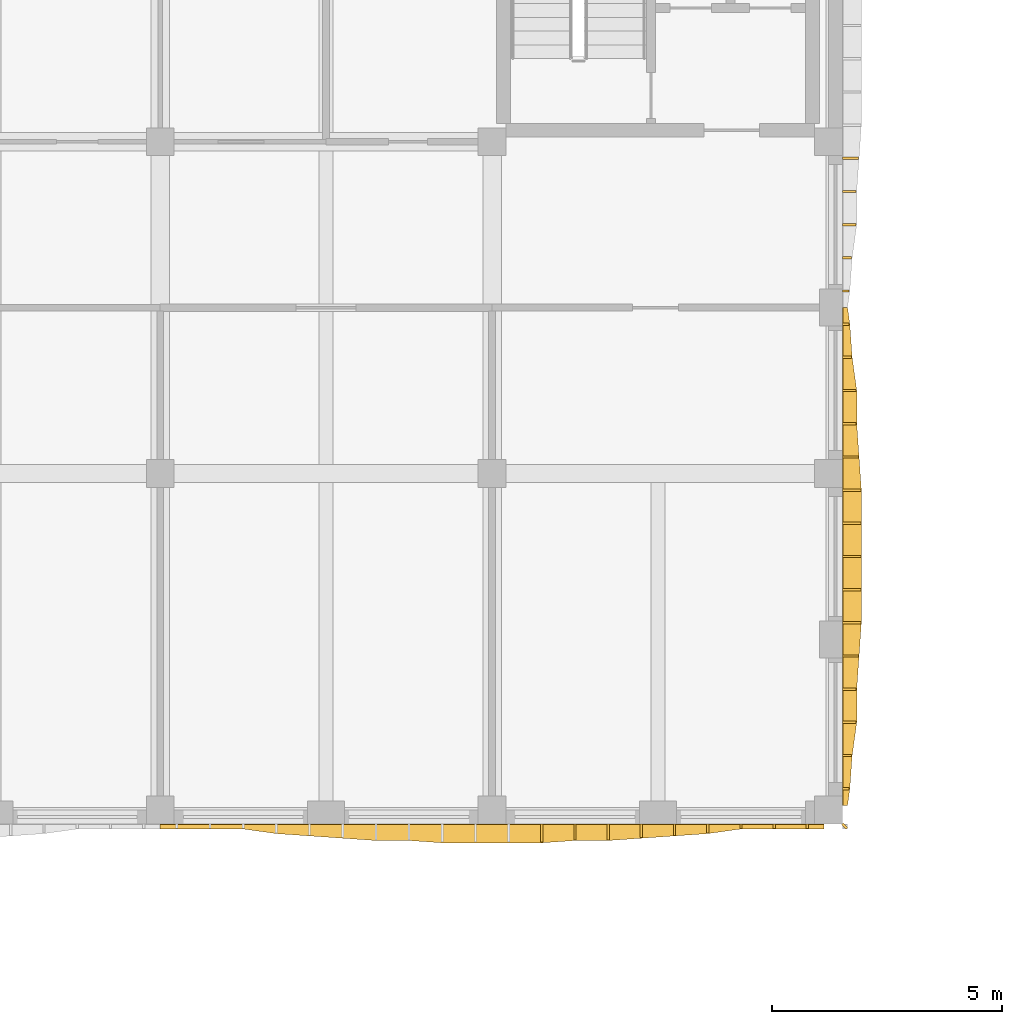
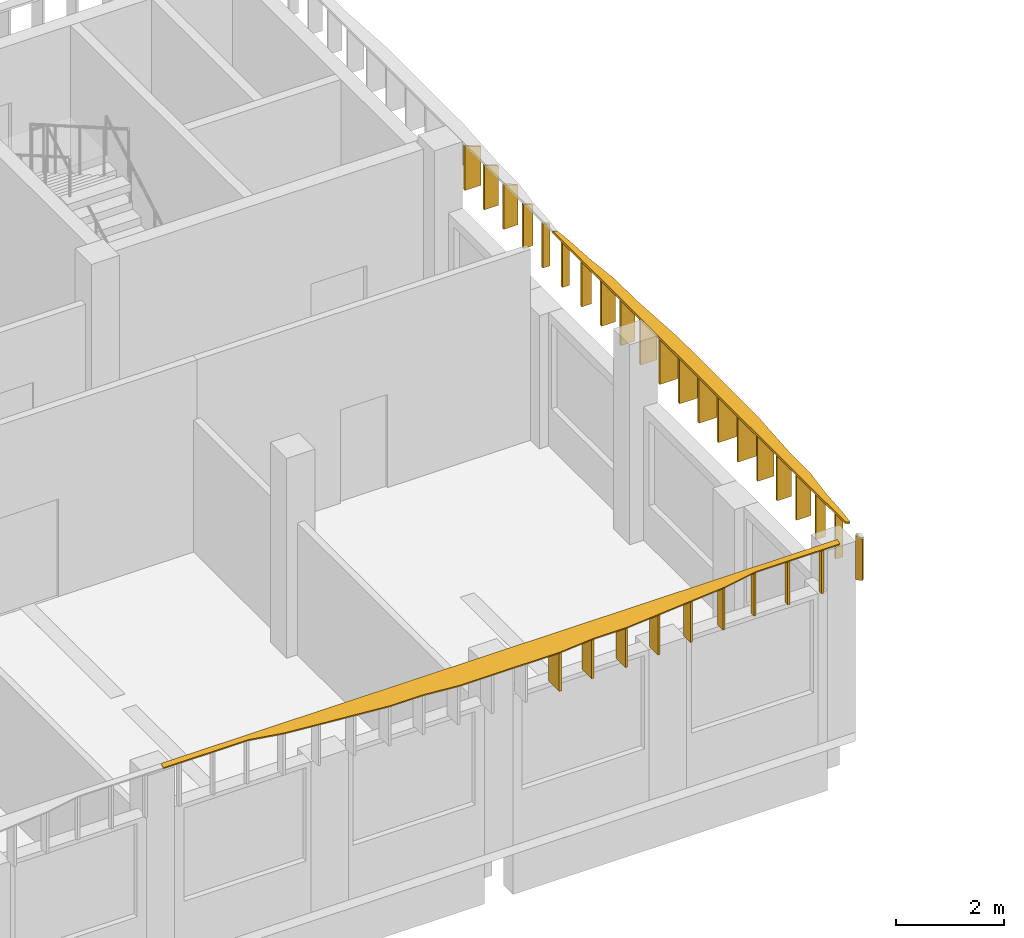
# One storey, part 33 of 38: 32 shading devices.
"""IFC4 building model written with IfcOpenShell, lengths in metres."""

from ifc_helpers import new_model, si_unit, direction, frame, origin, place, context, subcontext, project, spatial, polyline, outline, extrude, material, layer, layer_set, type_object, element, save


model = new_model("IFC4")

# Units and contexts
model_context = context("Model", 3, precision=1e-05, world=origin(), true_north=direction((0.0, 1.0)))
body_context = subcontext(model_context, "Body", "Model", "MODEL_VIEW")
ifc_project = project(units=[si_unit("LENGTHUNIT", "METRE"), si_unit("AREAUNIT", "SQUARE_METRE"), si_unit("VOLUMEUNIT", "CUBIC_METRE"), si_unit("PLANEANGLEUNIT", "RADIAN"), si_unit("MASSUNIT", "GRAM", prefix="KILO")], contexts=[model_context])

# Site, building, storey
site_placement = place(None, origin())
site = spatial("IfcSite", under=ifc_project, at=site_placement, CompositionType="ELEMENT")
building_placement = place(site_placement, origin())
building = spatial("IfcBuilding", under=site, at=building_placement, Name="Ussher Court Research Institute", CompositionType="ELEMENT")
storey_placement = place(building_placement, frame((0.0, 0.0, 23.39990234375)))
storey = spatial("IfcBuildingStorey", under=building, at=storey_placement, Name="L05", CompositionType="ELEMENT", Elevation=23.39990234375)

# Shading devices
ifc_material_1 = material(Name="Bronze anodised aluminium", Category="aluminium")
ifc_layer_1 = layer(ifc_material_1, 0.050048828125)
ifc_layer_set_1 = layer_set([ifc_layer_1], Name="Bronze anodised aluminium")
shading_device_type_1 = type_object("IfcShadingDeviceType", Name="Brim blade 100 mm deep 1000 mm high canted 20 deg dry", PredefinedType="USERDEFINED", material=ifc_layer_set_1)
for number, where, z_axis, x_axis, name in (
    (1, (81.840087890625, 68.39990234375, 3.4501953125), (0.0, 0.0, 1.0), (0.0, -1.0, 0.0), "Brim blade BS17 L05"),
    (2, (81.1201171875, 68.39990234375, 3.4501953125), (0.0, 0.0, 1.0), (0.0, -1.0, 0.0), "Brim blade BS17 L05"),
    (3, (80.39990234375, 68.39990234375, 3.4501953125), (0.0, 0.0, 1.0), (0.0, -1.0, 0.0), "Brim blade BS17 L05"),
):
    element("IfcShadingDevice", number, at=place(storey_placement, frame(where, z_axis=z_axis, x_axis=x_axis)), inside=storey, type_object=shading_device_type_1, Name=name, ObjectType="BLADE", PredefinedType="USERDEFINED", context=body_context, shape_type="SweptSolid", body=[
        extrude(outline(polyline([(0.0, 0.0), (0.099853515625, 0.0), (0.10009765625, 0.963623046875), (0.0, 1.0), (0.0, 0.0)])), frame((0.0, 0.02490234375, 0.0), z_axis=(0.0, -1.0, 0.0), x_axis=(1.0, 0.0, 0.0)), (0.0, 0.0, 1.0), 0.050048828125),
    ])
ifc_material_2 = material(Name="Bronze anodised aluminium", Category="aluminium")
ifc_layer_2 = layer(ifc_material_2, 0.050048828125)
ifc_layer_set_2 = layer_set([ifc_layer_2], Name="Bronze anodised aluminium")
shading_device_type_2 = type_object("IfcShadingDeviceType", Name="Brim blade 150 mm deep 1000 mm high canted 20 deg dry", PredefinedType="USERDEFINED", material=ifc_layer_set_2)
for number, where, z_axis, x_axis, name in (
    (4, (82.60009765625, 79.9599609375, 3.4501953125), (0.0, 0.0, 1.0), (1.0, 0.0, 0.0), "Brim blade BS16 L05"),
    (5, (82.60009765625, 79.239990234375, 3.4501953125), (0.0, 0.0, 1.0), (1.0, 0.0, 0.0), "Brim blade BS16 L05"),
    (6, (82.60009765625, 69.159912109375, 3.4501953125), (0.0, 0.0, 1.0), (1.0, 0.0, 0.0), "Brim blade BS16 L05"),
):
    element("IfcShadingDevice", number, at=place(storey_placement, frame(where, z_axis=z_axis, x_axis=x_axis)), inside=storey, type_object=shading_device_type_2, Name=name, ObjectType="BLADE", PredefinedType="USERDEFINED", context=body_context, shape_type="SweptSolid", body=[
        extrude(outline(polyline([(0.0, 0.0), (0.14990234375, 0.0), (0.14990234375, 0.9453125), (0.0, 1.0), (0.0, 0.0)])), frame((0.0, 0.02490234375, 0.0), z_axis=(0.0, -1.0, 0.0), x_axis=(1.0, 0.0, 0.0)), (0.0, 0.0, 1.0), 0.050048828125),
    ])
ifc_material_3 = material(Name="Bronze anodised aluminium", Category="aluminium")
ifc_layer_3 = layer(ifc_material_3, 0.050048828125)
ifc_layer_set_3 = layer_set([ifc_layer_3], Name="Bronze anodised aluminium")
shading_device_type_3 = type_object("IfcShadingDeviceType", Name="Brim blade 200 mm deep 1000 mm high canted 20 deg dry", PredefinedType="USERDEFINED", material=ifc_layer_set_3)
for number, where, z_axis, x_axis, name in (
    (7, (82.60009765625, 80.679931640625, 3.4501953125), (0.0, 0.0, 1.0), (1.0, 0.0, 0.0), "Brim blade BS15 L05"),
    (8, (82.60009765625, 78.52001953125, 3.4501953125), (0.0, 0.0, 1.0), (1.0, 0.0, 0.0), "Brim blade BS15 L05"),
    (9, (82.60009765625, 69.8798828125, 3.4501953125), (0.0, 0.0, 1.0), (1.0, 0.0, 0.0), "Brim blade BS15 L05"),
    (10, (79.679931640625, 68.39990234375, 3.4501953125), (0.0, 0.0, 1.0), (0.0, -1.0, 0.0), "Brim blade BS15 L05"),
):
    element("IfcShadingDevice", number, at=place(storey_placement, frame(where, z_axis=z_axis, x_axis=x_axis)), inside=storey, type_object=shading_device_type_3, Name=name, ObjectType="BLADE", PredefinedType="USERDEFINED", context=body_context, shape_type="SweptSolid", body=[
        extrude(outline(polyline([(0.0, 0.0), (0.199951171875, 0.0), (0.199951171875, 0.927001953125), (0.0, 1.0), (0.0, 0.0)])), frame((0.0, 0.02490234375, 0.0), z_axis=(0.0, -1.0, 0.0), x_axis=(1.0, 0.0, 0.0)), (0.0, 0.0, 1.0), 0.050048828125),
    ])
ifc_material_4 = material(Name="Bronze anodised aluminium", Category="aluminium")
ifc_layer_4 = layer(ifc_material_4, 0.050048828125)
ifc_layer_set_4 = layer_set([ifc_layer_4], Name="Bronze anodised aluminium")
shading_device_type_4 = type_object("IfcShadingDeviceType", Name="Brim blade 250 mm deep 1000 mm high canted 20 deg dry", PredefinedType="USERDEFINED", material=ifc_layer_set_4)
shading_device_1_placement = place(storey_placement, frame((78.9599609375, 68.39990234375, 3.4501953125), z_axis=(0.0, 0.0, 1.0), x_axis=(0.0, -1.0, 0.0)))
element("IfcShadingDevice", 11, at=shading_device_1_placement, inside=storey, type_object=shading_device_type_4, Name="Brim blade BS14 L05", ObjectType="BLADE", PredefinedType="USERDEFINED", context=body_context, shape_type="SweptSolid", body=[
    extrude(outline(polyline([(0.0, 0.0), (0.25, 0.0), (0.25, 0.908935546875), (0.0, 1.0), (0.0, 0.0)])), frame((0.0, 0.02490234375, 0.0), z_axis=(0.0, -1.0, 0.0), x_axis=(1.0, 0.0, 0.0)), (0.0, 0.0, 1.0), 0.050048828125),
])
ifc_material_5 = material(Name="Bronze anodised aluminium", Category="aluminium")
ifc_layer_5 = layer(ifc_material_5, 0.050048828125)
ifc_layer_set_5 = layer_set([ifc_layer_5], Name="Bronze anodised aluminium")
shading_device_type_5 = type_object("IfcShadingDeviceType", Name="Brim blade 300 mm deep 1000 mm high canted 20 deg dry", PredefinedType="USERDEFINED", material=ifc_layer_set_5)
for number, where, z_axis, x_axis, name in (
    (12, (82.60009765625, 82.1201171875, 3.4501953125), (0.0, 0.0, 1.0), (1.0, 0.0, 0.0), "Brim blade BS13 L05"),
    (13, (82.60009765625, 81.39990234375, 3.4501953125), (0.0, 0.0, 1.0), (1.0, 0.0, 0.0), "Brim blade BS13 L05"),
    (14, (82.60009765625, 77.800048828125, 3.4501953125), (0.0, 0.0, 1.0), (1.0, 0.0, 0.0), "Brim blade BS13 L05"),
    (15, (82.60009765625, 77.080078125, 3.4501953125), (0.0, 0.0, 1.0), (1.0, 0.0, 0.0), "Brim blade BS13 L05"),
    (16, (82.60009765625, 71.320068359375, 3.4501953125), (0.0, 0.0, 1.0), (1.0, 0.0, 0.0), "Brim blade BS13 L05"),
    (17, (82.60009765625, 70.60009765625, 3.4501953125), (0.0, 0.0, 1.0), (1.0, 0.0, 0.0), "Brim blade BS13 L05"),
    (18, (78.239990234375, 68.39990234375, 3.4501953125), (0.0, 0.0, 1.0), (0.0, -1.0, 0.0), "Brim blade BS13 L05"),
):
    element("IfcShadingDevice", number, at=place(storey_placement, frame(where, z_axis=z_axis, x_axis=x_axis)), inside=storey, type_object=shading_device_type_5, Name=name, ObjectType="BLADE", PredefinedType="USERDEFINED", context=body_context, shape_type="SweptSolid", body=[
        extrude(outline(polyline([(0.0, 0.0), (0.2998046875, 0.0), (0.300048828125, 0.890625), (0.0, 1.0), (0.0, 0.0)])), frame((0.0, 0.02490234375, 0.0), z_axis=(0.0, -1.0, 0.0), x_axis=(1.0, 0.0, 0.0)), (0.0, 0.0, 1.0), 0.050048828125),
    ])
ifc_material_6 = material(Name="Bronze anodised aluminium", Category="aluminium")
ifc_layer_6 = layer(ifc_material_6, 0.050048828125)
ifc_layer_set_6 = layer_set([ifc_layer_6], Name="Bronze anodised aluminium")
shading_device_type_6 = type_object("IfcShadingDeviceType", Name="Brim blade 350 mm deep 1000 mm high canted 20 deg dry", PredefinedType="USERDEFINED", material=ifc_layer_set_6)
for number, where, z_axis, x_axis, name in (
    (19, (82.60009765625, 82.840087890625, 3.4501953125), (0.0, 0.0, 1.0), (1.0, 0.0, 0.0), "Brim blade BS12 L05"),
    (20, (82.60009765625, 76.360107421875, 3.4501953125), (0.0, 0.0, 1.0), (1.0, 0.0, 0.0), "Brim blade BS12 L05"),
    (21, (82.60009765625, 72.0400390625, 3.4501953125), (0.0, 0.0, 1.0), (1.0, 0.0, 0.0), "Brim blade BS12 L05"),
    (22, (77.52001953125, 68.39990234375, 3.4501953125), (0.0, 0.0, 1.0), (0.0, -1.0, 0.0), "Brim blade BS12 L05"),
    (23, (76.800048828125, 68.39990234375, 3.4501953125), (0.0, 0.0, 1.0), (0.0, -1.0, 0.0), "Brim blade BS12 L05"),
):
    element("IfcShadingDevice", number, at=place(storey_placement, frame(where, z_axis=z_axis, x_axis=x_axis)), inside=storey, type_object=shading_device_type_6, Name=name, ObjectType="BLADE", PredefinedType="USERDEFINED", context=body_context, shape_type="SweptSolid", body=[
        extrude(outline(polyline([(0.0, 0.0), (0.349853515625, 0.0), (0.35009765625, 0.87255859375), (0.0, 1.0), (0.0, 0.0)])), frame((0.0, 0.02490234375, 0.0), z_axis=(0.0, -1.0, 0.0), x_axis=(1.0, 0.0, 0.0)), (0.0, 0.0, 1.0), 0.050048828125),
    ])
ifc_material_7 = material(Name="Bronze anodised aluminium", Category="aluminium")
ifc_layer_7 = layer(ifc_material_7, 0.050048828125)
ifc_layer_set_7 = layer_set([ifc_layer_7], Name="Bronze anodised aluminium")
shading_device_type_7 = type_object("IfcShadingDeviceType", Name="Brim blade 400 mm deep 1000 mm high canted 20 deg dry", PredefinedType="USERDEFINED", material=ifc_layer_set_7)
for number, where, z_axis, x_axis, name in (
    (24, (82.60009765625, 75.639892578125, 3.4501953125), (0.0, 0.0, 1.0), (1.0, 0.0, 0.0), "Brim blade BS11 L05"),
    (25, (82.60009765625, 74.919921875, 3.4501953125), (0.0, 0.0, 1.0), (1.0, 0.0, 0.0), "Brim blade BS11 L05"),
    (26, (82.60009765625, 74.199951171875, 3.4501953125), (0.0, 0.0, 1.0), (1.0, 0.0, 0.0), "Brim blade BS11 L05"),
    (27, (82.60009765625, 73.47998046875, 3.4501953125), (0.0, 0.0, 1.0), (1.0, 0.0, 0.0), "Brim blade BS11 L05"),
    (28, (82.60009765625, 72.760009765625, 3.4501953125), (0.0, 0.0, 1.0), (1.0, 0.0, 0.0), "Brim blade BS11 L05"),
    (29, (76.080078125, 68.39990234375, 3.4501953125), (0.0, 0.0, 1.0), (0.0, -1.0, 0.0), "Brim blade BS11 L05"),
):
    element("IfcShadingDevice", number, at=place(storey_placement, frame(where, z_axis=z_axis, x_axis=x_axis)), inside=storey, type_object=shading_device_type_7, Name=name, ObjectType="BLADE", PredefinedType="USERDEFINED", context=body_context, shape_type="SweptSolid", body=[
        extrude(outline(polyline([(0.0, 0.0), (0.39990234375, 0.0), (0.39990234375, 0.854248046875), (0.0, 1.0), (0.0, 0.0)])), frame((0.0, 0.02490234375, 0.0), z_axis=(0.0, -1.0, 0.0), x_axis=(1.0, 0.0, 0.0)), (0.0, 0.0, 1.0), 0.050048828125),
    ])
ifc_material_8 = material(Name="Bronze anodised aluminium", Category="aluminium")
ifc_layer_8 = layer(ifc_material_8, 0.050048828125)
ifc_layer_set_8 = layer_set([ifc_layer_8], Name="Bronze anodised aluminium")
shading_device_type_8 = type_object("IfcShadingDeviceType", Name="Brim mitre blade 100 mm deep 1000 mm high canted 20 deg dry", PredefinedType="USERDEFINED", material=ifc_layer_set_8)
shading_device_2_placement = place(storey_placement, frame((82.60009765625, 68.39990234375, 3.4501953125), z_axis=(0.0, 0.0, 1.0), x_axis=(0.707106781187, -0.707106781187, 0.0)))
element("IfcShadingDevice", 30, at=shading_device_2_placement, inside=storey, type_object=shading_device_type_8, Name="Brim mitre blade BS19 L05", ObjectType="BLADE", PredefinedType="USERDEFINED", context=body_context, shape_type="SweptSolid", body=[
    extrude(outline(polyline([(0.0, 0.0), (0.14111328125, 0.0), (0.141357421875, 0.927001953125), (0.0, 1.0), (0.0, 0.0)])), frame((0.0, 0.02490234375, 0.0), z_axis=(0.0, -1.0, 0.0), x_axis=(1.0, 0.0, 0.0)), (0.0, 0.0, 1.0), 0.050048828125),
])
ifc_material_9 = material(Name="Bronze anodised aluminium", Category="aluminium")
ifc_layer_9 = layer(ifc_material_9, 0.0400390625)
ifc_layer_set_9 = layer_set([ifc_layer_9], Name="Bronze anodised aluminium")
shading_device_type_9 = type_object("IfcShadingDeviceType", Name="Brim visor sheet 40 mm canted 20 deg dry", PredefinedType="USERDEFINED", material=ifc_layer_set_9)
shading_device_3_placement = place(storey_placement, frame((82.61376953125, 79.60009765625, 4.48779296875), z_axis=(0.34247777449, 0.0, 0.939525930446), x_axis=(0.0, -1.0, 0.0)))
element("IfcShadingDevice", 31, at=shading_device_3_placement, inside=storey, type_object=shading_device_type_9, Name="Brim visor sheet BR2 L05", ObjectType="BRIM", PredefinedType="USERDEFINED", context=body_context, shape_type="SweptSolid", body=[
    extrude(outline(polyline([(0.0, 0.0), (10.800048828125, 0.0), (10.800048828125, 0.10627326512485698), (10.440185546875, 0.15956639228017316), (9.72021484375, 0.21285951943548934), (9.0, 0.31936216100820913), (8.280029296875, 0.31936216100820913), (7.56005859375, 0.37234229897774984), (6.840087890625, 0.42563542613306604), (6.1201171875, 0.42563542613306604), (5.400146484375, 0.42563542613306604), (4.68017578125, 0.42563542613306604), (3.960205078125, 0.42563542613306604), (3.239990234375, 0.37234229897774984), (2.52001953125, 0.31936216100820913), (1.800048828125, 0.31936216100820913), (1.080078125, 0.21285951943548934), (0.360107421875, 0.15956639228017316), (0.0, 0.10627326512485698), (0.0, 0.0)])), origin(), (0.0, 0.0, -1.0), 0.0400390625),
])
shading_device_4_placement = place(storey_placement, frame((82.199951171875, 68.38623046875, 4.48779296875), z_axis=(0.0, -0.342400475787, 0.939554103913), x_axis=(-1.0, 0.0, 0.0)))
element("IfcShadingDevice", 32, at=shading_device_4_placement, inside=storey, type_object=shading_device_type_9, Name="Brim visor sheet BR2 L05", ObjectType="BRIM", PredefinedType="USERDEFINED", context=body_context, shape_type="SweptSolid", body=[
    extrude(outline(polyline([(0.0, 0.0), (14.39990234375, 0.0), (14.39990234375, 0.10627326645334817), (14.0400390625, 0.10627326645334817), (13.320068359375, 0.10627326645334817), (12.599853515625, 0.10627326645334817), (11.8798828125, 0.21285951009900608), (11.159912109375, 0.26606903805567605), (10.43994140625, 0.319362159878505), (9.719970703125, 0.3723423045090242), (9.0, 0.3723423045090242), (8.280029296875, 0.4256354263318532), (7.56005859375, 0.4256354263318532), (6.83984375, 0.4256354263318532), (6.119873046875, 0.4256354263318532), (5.39990234375, 0.3723423045090242), (4.679931640625, 0.3723423045090242), (3.9599609375, 0.319362159878505), (3.239990234375, 0.26606903805567605), (2.52001953125, 0.21285951009900608), (1.800048828125, 0.10627326645334817), (1.079833984375, 0.10627326645334817), (0.35986328125, 0.10627326645334817), (0.0, 0.10627326645334817), (0.0, 0.0)])), origin(), (0.0, 0.0, -1.0), 0.0400390625),
])

save(model, "model.ifc")
